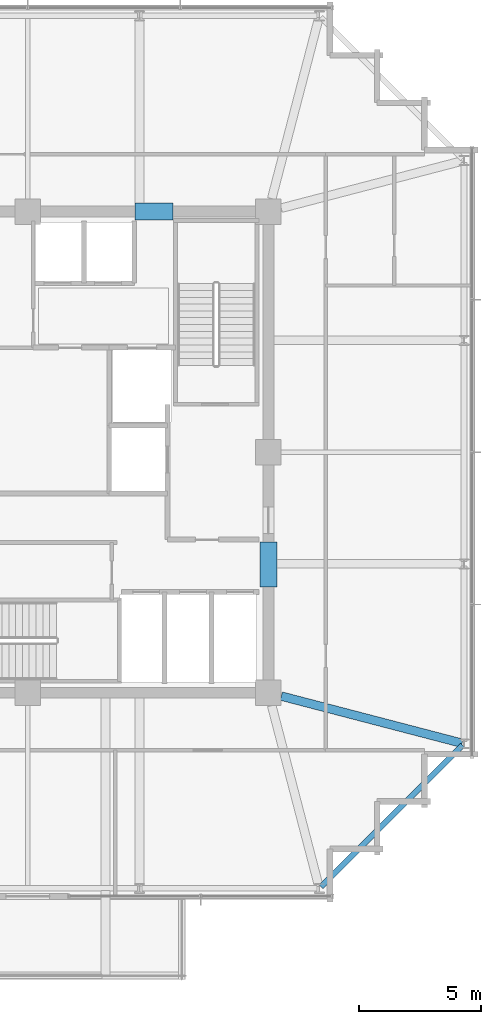
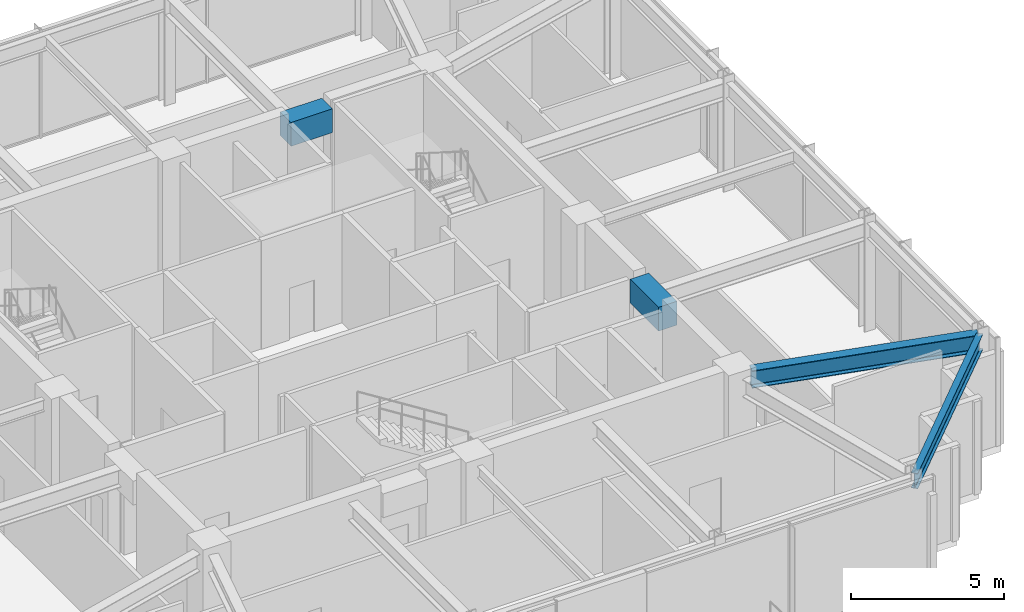
# One storey, part 10 of 30: 4 beams.
"""IFC4 building model written with IfcOpenShell, lengths in metres."""

from ifc_helpers import new_model, si_unit, direction, frame, origin, origin_2d, place, context, subcontext, project, spatial, rectangle, i_section, extrude, material, material_profile, profile_set, type_object, element, save


model = new_model("IFC4")

# Units and contexts
model_context = context("Model", 3, precision=1e-05, world=origin(), true_north=direction((0.0, 1.0)))
body_context = subcontext(model_context, "Body", "Model", "MODEL_VIEW")
ifc_project = project(units=[si_unit("LENGTHUNIT", "METRE"), si_unit("AREAUNIT", "SQUARE_METRE"), si_unit("VOLUMEUNIT", "CUBIC_METRE"), si_unit("PLANEANGLEUNIT", "RADIAN"), si_unit("MASSUNIT", "GRAM", prefix="KILO")], contexts=[model_context])

# Site, building, storey
site_placement = place(None, origin())
site = spatial("IfcSite", under=ifc_project, at=site_placement, CompositionType="ELEMENT")
building_placement = place(site_placement, origin())
building = spatial("IfcBuilding", under=site, at=building_placement, Name="Kolvaren Belvedere", CompositionType="ELEMENT")
storey_placement = place(building_placement, frame((0.0, 0.0, 262.800048828125)))
storey = spatial("IfcBuildingStorey", under=building, at=storey_placement, Name="L76", CompositionType="ELEMENT", Elevation=262.800048828125)

# Beams
ifc_material_1 = material(Name="Structural steel ASTM A992 Grade 50", Category="steel")
ifc_material_profile_1 = material_profile(ifc_material_1, i_section(OverallWidth=0.35498046875, OverallDepth=0.696044921875, WebThickness=0.015380859375, FlangeThickness=0.02490234375, FilletRadius=0.02197265625, at=origin_2d()), Name="W27X146")
ifc_profile_set_1 = profile_set([ifc_material_profile_1], Name="Structural steel ASTM A992 Grade 50")
beam_type_1 = type_object("IfcBeamType", Name="BM-GIRD-W27X146", PredefinedType="BEAM", material=ifc_profile_set_1)
beam_1_placement = place(storey_placement, frame((10.43212890625, -10.038818359375, 3.971923828125), z_axis=(0.967614911708, -0.252430946281, 0.0), x_axis=(0.252430946281, 0.967614911708, 0.0)))
element("IfcBeam", 1, at=beam_1_placement, inside=storey, type_object=beam_type_1, Name="L76 Corner Core-to-Perimeter Girder CC2-E1", PredefinedType="BEAM", context=body_context, shape_type="SweptSolid", body=[
    extrude(i_section(OverallWidth=0.35498046875, OverallDepth=0.696044921875, WebThickness=0.015380859375, FlangeThickness=0.02490234375, FilletRadius=0.02197265625, at=origin_2d()), origin(), (0.0, 0.0, 1.0), 7.68798828125),
])
ifc_material_2 = material(Name="Concrete C60/75", Category="concrete")
ifc_material_profile_2 = material_profile(ifc_material_2, rectangle(XDim=0.699951171875, YDim=0.949951171875, at=origin_2d()), Name="RC 700X950")
ifc_profile_set_2 = profile_set([ifc_material_profile_2], Name="Concrete C60/75")
beam_type_2 = type_object("IfcBeamType", Name="BM-LINT-950", PredefinedType="LINTEL", material=ifc_profile_set_2)
beam_2_placement = place(storey_placement, frame((4.419921875, 9.89990234375, 3.844970703125), z_axis=(1.0, 0.0, 0.0), x_axis=(0.0, 1.0, 0.0)))
element("IfcBeam", 2, at=beam_2_placement, inside=storey, type_object=beam_type_2, Name="L76 North Core Coupling Lintel", PredefinedType="LINTEL", context=body_context, shape_type="SweptSolid", body=[
    extrude(rectangle(XDim=0.699951171875, YDim=0.949951171875, at=origin_2d()), origin(), (0.0, 0.0, 1.0), 1.56005859375),
])
beam_3_placement = place(storey_placement, frame((9.89990234375, -5.550048828125, 3.844970703125), z_axis=(0.0, 1.0, 0.0), x_axis=(-1.0, 0.0, 0.0)))
element("IfcBeam", 3, at=beam_3_placement, inside=storey, type_object=beam_type_2, Name="L76 East Core Coupling Lintel", PredefinedType="LINTEL", context=body_context, shape_type="SweptSolid", body=[
    extrude(rectangle(XDim=0.699951171875, YDim=0.949951171875, at=origin_2d()), origin(), (0.0, 0.0, 1.0), 1.85009765625),
])
ifc_material_3 = material(Name="Structural steel ASTM A992 Grade 50", Category="steel")
ifc_material_profile_3 = material_profile(ifc_material_3, i_section(OverallWidth=0.22900390625, OverallDepth=0.612060546875, WebThickness=0.011962890625, FlangeThickness=0.01953125, FilletRadius=0.01806640625, at=origin_2d()), Name="W24X84")
ifc_profile_set_3 = profile_set([ifc_material_profile_3], Name="Structural steel ASTM A992 Grade 50")
beam_type_3 = type_object("IfcBeamType", Name="BM-SPAN-W24X84", PredefinedType="SPANDREL", material=ifc_profile_set_3)
beam_4_placement = place(storey_placement, frame((12.064697265625, -17.88525390625, 4.013916015625), z_axis=(0.707106781187, 0.707106781187, 0.0), x_axis=(-0.707106781187, 0.707106781187, 0.0)))
element("IfcBeam", 4, at=beam_4_placement, inside=storey, type_object=beam_type_3, Name="L76 Perimeter Spandrel S4-E1", PredefinedType="SPANDREL", context=body_context, shape_type="SweptSolid", body=[
    extrude(i_section(OverallWidth=0.22900390625, OverallDepth=0.612060546875, WebThickness=0.011962890625, FlangeThickness=0.01953125, FilletRadius=0.01806640625, at=origin_2d()), origin(), (0.0, 0.0, 1.0), 8.2314453125),
])

save(model, "model.ifc")
